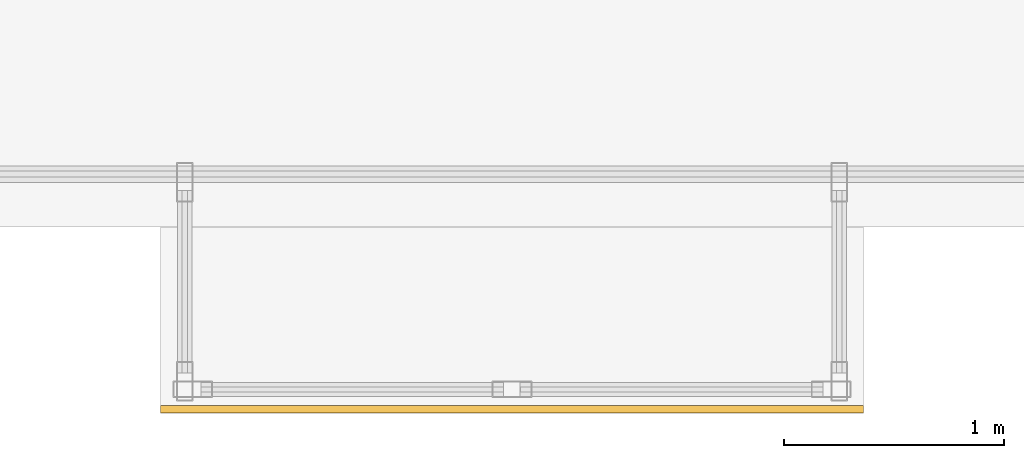
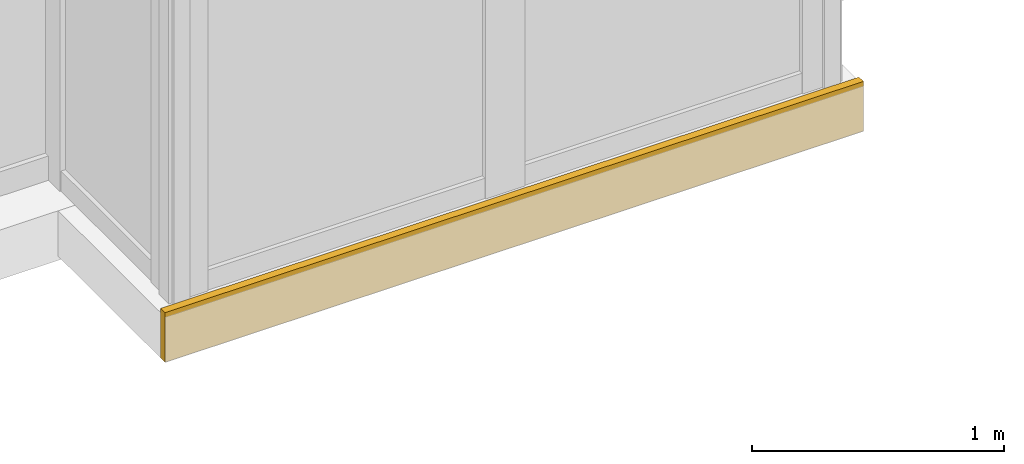
# One storey, part 23 of 24: 1 covering.
"""IFC4 building model written with IfcOpenShell, lengths in metres."""

from ifc_helpers import new_model, si_unit, direction, frame, origin, origin_2d, place, context, subcontext, project, spatial, rectangle, extrude, material, layer, layer_set, type_object, element, save


model = new_model("IFC4")

# Units and contexts
model_context = context("Model", 3, precision=1e-05, world=origin(), true_north=direction((0.0, 1.0)))
body_context = subcontext(model_context, "Body", "Model", "MODEL_VIEW")
ifc_project = project(units=[si_unit("LENGTHUNIT", "METRE"), si_unit("AREAUNIT", "SQUARE_METRE"), si_unit("VOLUMEUNIT", "CUBIC_METRE"), si_unit("PLANEANGLEUNIT", "RADIAN"), si_unit("MASSUNIT", "GRAM", prefix="KILO")], contexts=[model_context])

# Site, building, storey
site_placement = place(None, origin())
site = spatial("IfcSite", under=ifc_project, at=site_placement, CompositionType="ELEMENT")
building_placement = place(site_placement, origin())
building = spatial("IfcBuilding", under=site, at=building_placement, Name="Kolvaren Waterfront Exchange", CompositionType="ELEMENT")
storey_placement = place(building_placement, frame((0.0, 0.0, 331.199951171875)))
storey = spatial("IfcBuildingStorey", under=building, at=storey_placement, Name="L85", CompositionType="ELEMENT", Elevation=331.199951171875)

# Covering
ifc_material = material(Name="Anodised bronze fascia aluminium", Category="aluminium")
ifc_layer = layer(ifc_material, 0.034912109375, Name="Anodised bronze fascia aluminium")
ifc_layer_set = layer_set([ifc_layer], Name="Anodised bronze fascia aluminium")
covering_type = type_object("IfcCoveringType", Name="ARC-CLAD-BRONZE-35", PredefinedType="CLADDING", material=ifc_layer_set)
covering_placement = place(storey_placement, frame((36.300048828125, 2.77001953125, -0.2197265625), z_axis=(0.0, 0.0, 1.0), x_axis=(1.0, 0.0, 0.0)))
element("IfcCovering", 1, at=covering_placement, inside=storey, type_object=covering_type, Name="L85 ribbed anodised bronze bay-box fascia", PredefinedType="CLADDING", context=body_context, shape_type="SweptSolid", body=[
    extrude(rectangle(XDim=3.199951171875, YDim=0.034912109375, at=origin_2d()), origin(), (0.0, 0.0, 1.0), 0.239990234375),
])

save(model, "model.ifc")
